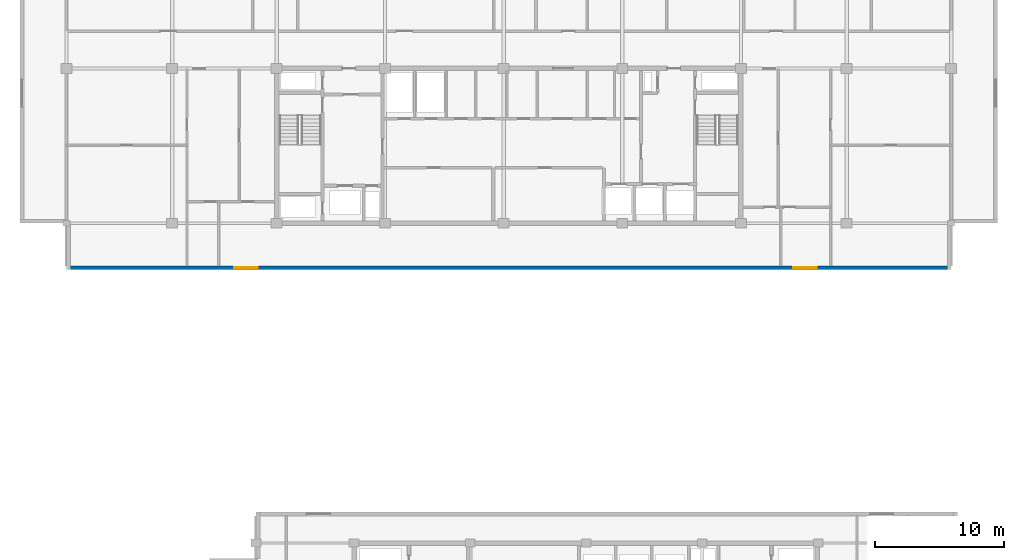
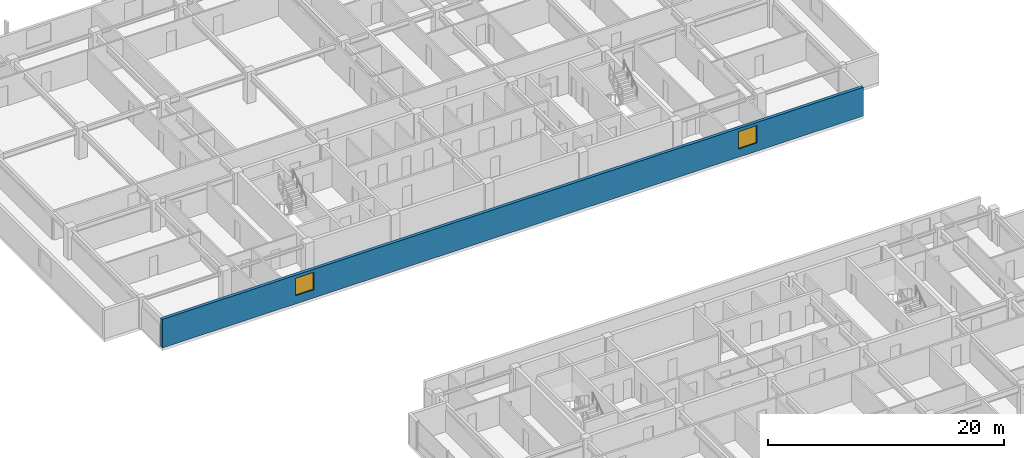
# One storey, part 17 of 30: 2 windows, 1 wall, 2 openings.
"""IFC4 building model written with IfcOpenShell, lengths in metres."""

from ifc_helpers import new_model, si_unit, direction, frame, frame_2d, origin, place, context, subcontext, project, spatial, rectangle, extrude, material, layer, layer_set, type_object, element, fill, save


model = new_model("IFC4")

# Units and contexts
model_context = context("Model", 3, precision=1e-05, world=origin(), true_north=direction((0.0, 1.0)))
body_context = subcontext(model_context, "Body", "Model", "MODEL_VIEW")
ifc_project = project(units=[si_unit("LENGTHUNIT", "METRE"), si_unit("AREAUNIT", "SQUARE_METRE"), si_unit("VOLUMEUNIT", "CUBIC_METRE"), si_unit("PLANEANGLEUNIT", "RADIAN"), si_unit("MASSUNIT", "GRAM", prefix="KILO")], contexts=[model_context])

# Site, building, storey
site_placement = place(None, origin())
site = spatial("IfcSite", under=ifc_project, at=site_placement, CompositionType="ELEMENT")
building_placement = place(site_placement, origin())
building = spatial("IfcBuilding", under=site, at=building_placement, Name="Korimba Cascade Residences", CompositionType="ELEMENT")
storey_placement = place(building_placement, frame((0.0, 0.0, 201.10009765625)))
storey = spatial("IfcBuildingStorey", under=building, at=storey_placement, Name="L58", CompositionType="ELEMENT", Elevation=201.10009765625)

# Wall, openings, windows
ifc_material_1 = material(Name="Precast concrete C40/50", Category="concrete")
ifc_layer = layer(ifc_material_1, 0.300048828125)
ifc_layer_set = layer_set([ifc_layer], Name="Precast concrete C40/50")
wall_type = type_object("IfcWallType", Name="EW-STONE-300", PredefinedType="STANDARD", material=ifc_layer_set)
wall_placement = place(storey_placement, frame((59.800048828125, 51.75, 0.0), z_axis=(0.0, 0.0, 1.0), x_axis=(1.0, 0.0, 0.0)))
wall = element("IfcWall", 1, at=wall_placement, inside=storey, type_object=wall_type, Name="L58 T1 Perimeter Stone Wall E00", PredefinedType="STANDARD", context=body_context, shape_type="SweptSolid", body=[
    extrude(rectangle(XDim=68.599853515625, YDim=0.300048828125, at=frame_2d((34.2998046875, 0.0))), origin(), (0.0, 0.0, 1.0), 2.969970703125),
])
opening_1_placement = place(wall_placement, frame((13.02490234375, 0.0, 0.85009765625)))
opening_1 = element("IfcOpeningElement", 2, at=opening_1_placement, cuts=wall, Name="Opening W-02", PredefinedType="OPENING", context=body_context, shape_type="SweptSolid", body=[
    extrude(rectangle(XDim=1.800048828125, YDim=1.800048828125, at=frame_2d((0.89990234375, 0.89990234375))), frame((0.0, 0.16015625, 0.0), z_axis=(0.0, -1.0, 0.0), x_axis=(1.0, 0.0, 0.0)), (0.0, 0.0, 1.0), 0.320068359375),
])
opening_2_placement = place(wall_placement, frame((56.375, 0.0, 0.85009765625)))
opening_2 = element("IfcOpeningElement", 3, at=opening_2_placement, cuts=wall, Name="Opening W-02", PredefinedType="OPENING", context=body_context, shape_type="SweptSolid", body=[
    extrude(rectangle(XDim=1.800048828125, YDim=1.800048828125, at=frame_2d((0.89990234375, 0.89990234375))), frame((0.0, 0.16015625, 0.0), z_axis=(0.0, -1.0, 0.0), x_axis=(1.0, 0.0, 0.0)), (0.0, 0.0, 1.0), 0.320068359375),
])
ifc_material_2 = material(Name="Double-Glazed Aluminium Window", Category="aluminium")
window_type = type_object("IfcWindowType", Name="WIN-BED-1800", PartitioningType="SINGLE_PANEL", PredefinedType="WINDOW", material=ifc_material_2)
window_1_placement = place(opening_1_placement, origin())
window_1 = element("IfcWindow", 4, at=window_1_placement, inside=storey, type_object=window_type, Name="L58 T1 South Corner Bedroom Window 1", OverallHeight=1.800048828125, OverallWidth=1.800048828125, PartitioningType="SINGLE_PANEL", PredefinedType="WINDOW", context=body_context, shape_type="SweptSolid", body=[
    extrude(rectangle(XDim=1.800048828125, YDim=1.800048828125, at=frame_2d((0.89990234375, 0.89990234375))), frame((0.0, 0.030029296875, 0.0), z_axis=(0.0, -1.0, 0.0), x_axis=(1.0, 0.0, 0.0)), (0.0, 0.0, 1.0), 0.06005859375),
])
fill(opening_1, window_1)
window_2_placement = place(opening_2_placement, origin())
window_2 = element("IfcWindow", 5, at=window_2_placement, inside=storey, type_object=window_type, Name="L58 T1 South Corner Bedroom Window 2", OverallHeight=1.800048828125, OverallWidth=1.800048828125, PartitioningType="SINGLE_PANEL", PredefinedType="WINDOW", context=body_context, shape_type="SweptSolid", body=[
    extrude(rectangle(XDim=1.800048828125, YDim=1.800048828125, at=frame_2d((0.89990234375, 0.89990234375))), frame((0.0, 0.030029296875, 0.0), z_axis=(0.0, -1.0, 0.0), x_axis=(1.0, 0.0, 0.0)), (0.0, 0.0, 1.0), 0.06005859375),
])
fill(opening_2, window_2)

save(model, "model.ifc")
